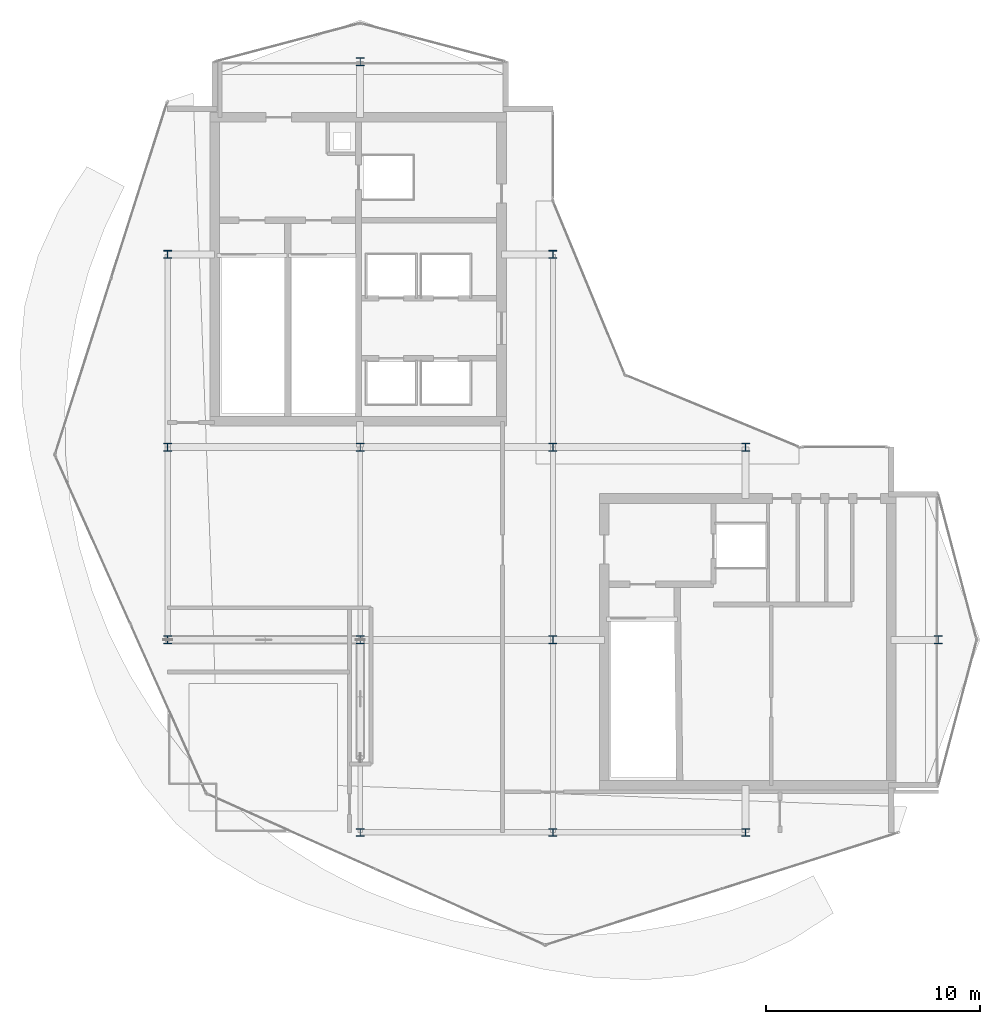
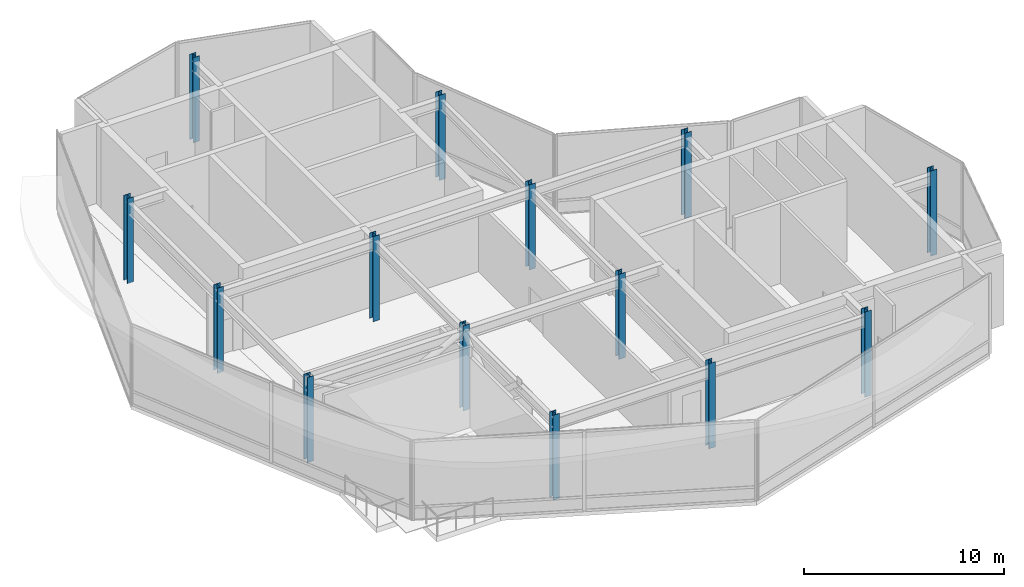
# One storey, part 1 of 19: 14 columns.
"""IFC4 building model written with IfcOpenShell, lengths in metres."""

from ifc_helpers import new_model, si_unit, direction, frame, origin, origin_2d, place, context, subcontext, project, spatial, i_section, extrude, material, material_profile, profile_set, type_object, element, save


model = new_model("IFC4")

# Units and contexts
model_context = context("Model", 3, precision=1e-05, world=origin(), true_north=direction((0.0, 1.0)))
body_context = subcontext(model_context, "Body", "Model", "MODEL_VIEW")
ifc_project = project(units=[si_unit("LENGTHUNIT", "METRE"), si_unit("AREAUNIT", "SQUARE_METRE"), si_unit("VOLUMEUNIT", "CUBIC_METRE"), si_unit("PLANEANGLEUNIT", "RADIAN"), si_unit("MASSUNIT", "GRAM", prefix="KILO")], contexts=[model_context])

# Site, building, storey
site_placement = place(None, origin())
site = spatial("IfcSite", under=ifc_project, at=site_placement, CompositionType="ELEMENT")
building_placement = place(site_placement, origin())
building = spatial("IfcBuilding", under=site, at=building_placement, Name="Solvaryn Broadcast Tower", CompositionType="ELEMENT")
storey_placement = place(building_placement, frame((0.0, 0.0, 302.60009765625)))
storey = spatial("IfcBuildingStorey", under=building, at=storey_placement, Name="L76", CompositionType="ELEMENT", Elevation=302.60009765625)

# Columns
ifc_material_1 = material(Name="Steel ASTM A913 Grade 65", Category="steel")
ifc_material_profile_1 = material_profile(ifc_material_1, i_section(OverallWidth=0.373046875, OverallDepth=0.367919921875, WebThickness=0.014892578125, FlangeThickness=0.02392578125, FilletRadius=0.014892578125, at=origin_2d()))
ifc_profile_set_1 = profile_set([ifc_material_profile_1], Name="Steel ASTM A913 Grade 65")
column_type_1 = type_object("IfcColumnType", Name="COL-C11E-W14X120", PredefinedType="COLUMN", material=ifc_profile_set_1)
for number, where, z_axis, x_axis, name in (
    (1, (9.0, 18.0, 0.0), (0.0, 0.0, 1.0), (1.0, 0.0, 0.0), "L76 Column (9.0, 18.0)"),
    (2, (9.0, 27.0, 0.0), (0.0, 0.0, 1.0), (1.0, 0.0, 0.0), "L76 Column (9.0, 27.0)"),
    (3, (9.0, 36.0, 0.0), (0.0, 0.0, 1.0), (1.0, 0.0, 0.0), "L76 Column (9.0, 36.0)"),
    (4, (18.0, 9.0, 0.0), (0.0, 0.0, 1.0), (1.0, 0.0, 0.0), "L76 Column (18.0, 9.0)"),
    (5, (18.0, 45.0, 0.0), (0.0, 0.0, 1.0), (1.0, 0.0, 0.0), "L76 Column (18.0, 45.0)"),
    (6, (27.0, 9.0, 0.0), (0.0, 0.0, 1.0), (1.0, 0.0, 0.0), "L76 Column (27.0, 9.0)"),
    (7, (27.0, 36.0, 0.0), (0.0, 0.0, 1.0), (1.0, 0.0, 0.0), "L76 Column (27.0, 36.0)"),
    (8, (36.0, 9.0, 0.0), (0.0, 0.0, 1.0), (1.0, 0.0, 0.0), "L76 Column (36.0, 9.0)"),
    (9, (36.0, 27.0, 0.0), (0.0, 0.0, 1.0), (1.0, 0.0, 0.0), "L76 Column (36.0, 27.0)"),
    (10, (45.0, 18.0, 0.0), (0.0, 0.0, 1.0), (1.0, 0.0, 0.0), "L76 Column (45.0, 18.0)"),
):
    element("IfcColumn", number, at=place(storey_placement, frame(where, z_axis=z_axis, x_axis=x_axis)), inside=storey, type_object=column_type_1, Name=name, PredefinedType="COLUMN", context=body_context, shape_type="SweptSolid", body=[
        extrude(i_section(OverallWidth=0.373046875, OverallDepth=0.367919921875, WebThickness=0.014892578125, FlangeThickness=0.02392578125, FilletRadius=0.014892578125, at=origin_2d()), origin(), (0.0, 0.0, 1.0), 5.199951171875),
    ])
ifc_material_2 = material(Name="Steel ASTM A913 Grade 65", Category="steel")
ifc_material_profile_2 = material_profile(ifc_material_2, i_section(OverallWidth=0.373046875, OverallDepth=0.367919921875, WebThickness=0.014892578125, FlangeThickness=0.02392578125, FilletRadius=0.014892578125, at=origin_2d()))
ifc_profile_set_2 = profile_set([ifc_material_profile_2], Name="Steel ASTM A913 Grade 65")
column_type_2 = type_object("IfcColumnType", Name="COL-C11I-W14X120", PredefinedType="COLUMN", material=ifc_profile_set_2)
for number, where, z_axis, x_axis, name in (
    (11, (18.0, 18.0, 0.0), (0.0, 0.0, 1.0), (1.0, 0.0, 0.0), "L76 Column (18.0, 18.0)"),
    (12, (18.0, 27.0, 0.0), (0.0, 0.0, 1.0), (1.0, 0.0, 0.0), "L76 Column (18.0, 27.0)"),
    (13, (27.0, 18.0, 0.0), (0.0, 0.0, 1.0), (1.0, 0.0, 0.0), "L76 Column (27.0, 18.0)"),
    (14, (27.0, 27.0, 0.0), (0.0, 0.0, 1.0), (1.0, 0.0, 0.0), "L76 Column (27.0, 27.0)"),
):
    element("IfcColumn", number, at=place(storey_placement, frame(where, z_axis=z_axis, x_axis=x_axis)), inside=storey, type_object=column_type_2, Name=name, PredefinedType="COLUMN", context=body_context, shape_type="SweptSolid", body=[
        extrude(i_section(OverallWidth=0.373046875, OverallDepth=0.367919921875, WebThickness=0.014892578125, FlangeThickness=0.02392578125, FilletRadius=0.014892578125, at=origin_2d()), origin(), (0.0, 0.0, 1.0), 5.199951171875),
    ])

save(model, "model.ifc")
